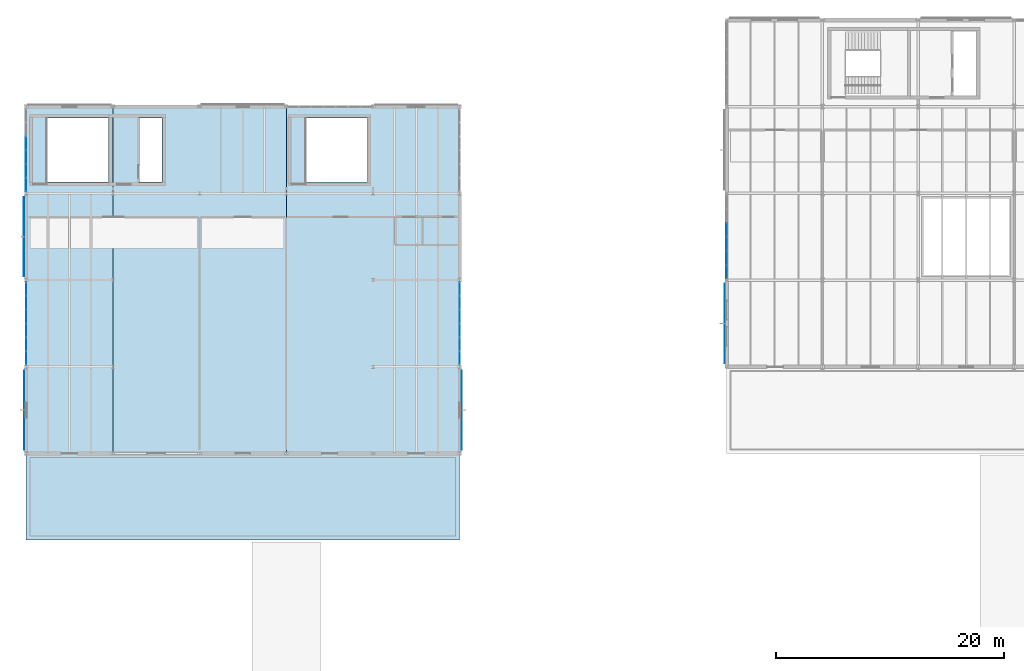
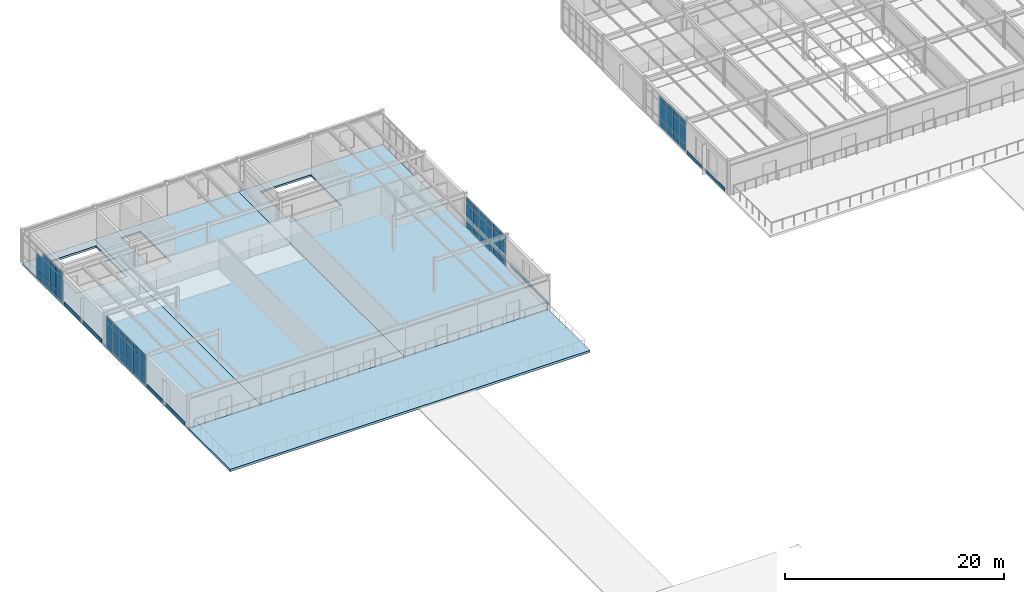
# One storey, part 71 of 114: 63 plates, 4 slabs, 4 elements without a shape of their own.
"""IFC4 building model written with IfcOpenShell, lengths in metres."""

from ifc_helpers import new_model, si_unit, direction, frame, origin, origin_2d, place, context, subcontext, project, spatial, polyline, rectangle, outline, extrude, material, layer, layer_set, type_object, element, aggregate, save


model = new_model("IFC4")

# Units and contexts
model_context = context("Model", 3, precision=1e-05, world=origin(), true_north=direction((0.0, 1.0)))
body_context = subcontext(model_context, "Body", "Model", "MODEL_VIEW")
ifc_project = project(units=[si_unit("LENGTHUNIT", "METRE"), si_unit("AREAUNIT", "SQUARE_METRE"), si_unit("VOLUMEUNIT", "CUBIC_METRE"), si_unit("PLANEANGLEUNIT", "RADIAN"), si_unit("MASSUNIT", "GRAM", prefix="KILO")], contexts=[model_context])

# Site, building, storey
site_placement = place(None, origin())
site = spatial("IfcSite", under=ifc_project, at=site_placement, CompositionType="ELEMENT")
building_placement = place(site_placement, origin())
building = spatial("IfcBuilding", under=site, at=building_placement, Name="Montecoro Central Library", CompositionType="ELEMENT")
storey_placement = place(building_placement, frame((0.0, 0.0, 13.260009765625)))
storey = spatial("IfcBuildingStorey", under=building, at=storey_placement, Name="L03", CompositionType="ELEMENT", Elevation=13.260009765625)

# Curtain wall, plates
ifc_material_1 = material(Name="Bronze-anodised aluminium and low-E glazing", Category="aluminium")
ifc_layer_1 = layer(ifc_material_1, 0.159912109375)
ifc_layer_set_1 = layer_set([ifc_layer_1], Name="Bronze-anodised aluminium and low-E glazing")
curtain_wall_type_1 = type_object("IfcCurtainWallType", Name="CWT-020", PredefinedType="NOTDEFINED", material=ifc_layer_set_1)
curtain_wall_1_placement = place(storey_placement, origin())
curtain_wall_1 = element("IfcCurtainWall", 1, at=curtain_wall_1_placement, inside=storey, type_object=curtain_wall_type_1, Name="V2-L03-CW-W1", PredefinedType="NOTDEFINED")
ifc_material_2 = material(Name="Laminated low-E double glazing", Category="glass")
ifc_layer_2 = layer(ifc_material_2, 0.02587890625)
ifc_layer_set_2 = layer_set([ifc_layer_2], Name="Laminated low-E double glazing")
plate_type_1 = type_object("IfcPlateType", Name="CWP-GLZ-01", PredefinedType="CURTAIN_PANEL", material=ifc_layer_set_2)
plate_1_placement = place(storey_placement, frame((66.39990234375, 100.614501953125, 0.06005859375), z_axis=(0.0, 0.0, 1.0), x_axis=(0.0, -1.0, 0.0)))
plate_1 = element("IfcPlate", 2, at=plate_1_placement, type_object=plate_type_1, Name="CW-020 panel 3.1", PredefinedType="CURTAIN_PANEL", context=body_context, shape_type="SweptSolid", body=[
    extrude(rectangle(XDim=1.1689453125, YDim=0.02587890625, at=origin_2d()), origin(), (0.0, 0.0, 1.0), 0.81005859375),
])
plate_2_placement = place(storey_placement, frame((66.39990234375, 100.614501953125, 0.93017578125), z_axis=(0.0, 0.0, 1.0), x_axis=(0.0, -1.0, 0.0)))
plate_2 = element("IfcPlate", 3, at=plate_2_placement, type_object=plate_type_1, Name="CW-020 panel 3.2", PredefinedType="CURTAIN_PANEL", context=body_context, shape_type="SweptSolid", body=[
    extrude(rectangle(XDim=1.1689453125, YDim=0.02587890625, at=origin_2d()), origin(), (0.0, 0.0, 1.0), 1.820068359375),
])
plate_3_placement = place(storey_placement, frame((66.39990234375, 100.614501953125, 2.81005859375), z_axis=(0.0, 0.0, 1.0), x_axis=(0.0, -1.0, 0.0)))
plate_3 = element("IfcPlate", 4, at=plate_3_placement, type_object=plate_type_1, Name="CW-020 panel 3.3", PredefinedType="CURTAIN_PANEL", context=body_context, shape_type="SweptSolid", body=[
    extrude(rectangle(XDim=1.1689453125, YDim=0.02587890625, at=origin_2d()), origin(), (0.0, 0.0, 1.0), 0.610107421875),
])
plate_4_placement = place(storey_placement, frame((66.39990234375, 99.385498046875, 0.06005859375), z_axis=(0.0, 0.0, 1.0), x_axis=(0.0, -1.0, 0.0)))
plate_4 = element("IfcPlate", 5, at=plate_4_placement, type_object=plate_type_1, Name="CW-020 panel 4.1", PredefinedType="CURTAIN_PANEL", context=body_context, shape_type="SweptSolid", body=[
    extrude(rectangle(XDim=1.1689453125, YDim=0.02587890625, at=origin_2d()), origin(), (0.0, 0.0, 1.0), 0.81005859375),
])
plate_5_placement = place(storey_placement, frame((66.39990234375, 99.385498046875, 0.93017578125), z_axis=(0.0, 0.0, 1.0), x_axis=(0.0, -1.0, 0.0)))
plate_5 = element("IfcPlate", 6, at=plate_5_placement, type_object=plate_type_1, Name="CW-020 panel 4.2", PredefinedType="CURTAIN_PANEL", context=body_context, shape_type="SweptSolid", body=[
    extrude(rectangle(XDim=1.1689453125, YDim=0.02587890625, at=origin_2d()), origin(), (0.0, 0.0, 1.0), 1.820068359375),
])
plate_6_placement = place(storey_placement, frame((66.39990234375, 99.385498046875, 2.81005859375), z_axis=(0.0, 0.0, 1.0), x_axis=(0.0, -1.0, 0.0)))
plate_6 = element("IfcPlate", 7, at=plate_6_placement, type_object=plate_type_1, Name="CW-020 panel 4.3", PredefinedType="CURTAIN_PANEL", context=body_context, shape_type="SweptSolid", body=[
    extrude(rectangle(XDim=1.1689453125, YDim=0.02587890625, at=origin_2d()), origin(), (0.0, 0.0, 1.0), 0.610107421875),
])
plate_7_placement = place(storey_placement, frame((66.39990234375, 98.156494140625, 0.06005859375), z_axis=(0.0, 0.0, 1.0), x_axis=(0.0, -1.0, 0.0)))
plate_7 = element("IfcPlate", 8, at=plate_7_placement, type_object=plate_type_1, Name="CW-020 panel 5.1", PredefinedType="CURTAIN_PANEL", context=body_context, shape_type="SweptSolid", body=[
    extrude(rectangle(XDim=1.1689453125, YDim=0.02587890625, at=origin_2d()), origin(), (0.0, 0.0, 1.0), 0.81005859375),
])
plate_8_placement = place(storey_placement, frame((66.39990234375, 98.156494140625, 0.93017578125), z_axis=(0.0, 0.0, 1.0), x_axis=(0.0, -1.0, 0.0)))
plate_8 = element("IfcPlate", 9, at=plate_8_placement, type_object=plate_type_1, Name="CW-020 panel 5.2", PredefinedType="CURTAIN_PANEL", context=body_context, shape_type="SweptSolid", body=[
    extrude(rectangle(XDim=1.1689453125, YDim=0.02587890625, at=origin_2d()), origin(), (0.0, 0.0, 1.0), 1.820068359375),
])
plate_9_placement = place(storey_placement, frame((66.39990234375, 98.156494140625, 2.81005859375), z_axis=(0.0, 0.0, 1.0), x_axis=(0.0, -1.0, 0.0)))
plate_9 = element("IfcPlate", 10, at=plate_9_placement, type_object=plate_type_1, Name="CW-020 panel 5.3", PredefinedType="CURTAIN_PANEL", context=body_context, shape_type="SweptSolid", body=[
    extrude(rectangle(XDim=1.1689453125, YDim=0.02587890625, at=origin_2d()), origin(), (0.0, 0.0, 1.0), 0.610107421875),
])
plate_10_placement = place(storey_placement, frame((66.39990234375, 96.9423828125, 0.06005859375), z_axis=(0.0, 0.0, 1.0), x_axis=(0.0, -1.0, 0.0)))
plate_10 = element("IfcPlate", 11, at=plate_10_placement, type_object=plate_type_1, Name="CW-020 panel 6.1", PredefinedType="CURTAIN_PANEL", context=body_context, shape_type="SweptSolid", body=[
    extrude(rectangle(XDim=1.138916015625, YDim=0.02587890625, at=origin_2d()), origin(), (0.0, 0.0, 1.0), 0.81005859375),
])
plate_11_placement = place(storey_placement, frame((66.39990234375, 96.9423828125, 0.93017578125), z_axis=(0.0, 0.0, 1.0), x_axis=(0.0, -1.0, 0.0)))
plate_11 = element("IfcPlate", 12, at=plate_11_placement, type_object=plate_type_1, Name="CW-020 panel 6.2", PredefinedType="CURTAIN_PANEL", context=body_context, shape_type="SweptSolid", body=[
    extrude(rectangle(XDim=1.138916015625, YDim=0.02587890625, at=origin_2d()), origin(), (0.0, 0.0, 1.0), 1.820068359375),
])
plate_12_placement = place(storey_placement, frame((66.39990234375, 96.9423828125, 2.81005859375), z_axis=(0.0, 0.0, 1.0), x_axis=(0.0, -1.0, 0.0)))
plate_12 = element("IfcPlate", 13, at=plate_12_placement, type_object=plate_type_1, Name="CW-020 panel 6.3", PredefinedType="CURTAIN_PANEL", context=body_context, shape_type="SweptSolid", body=[
    extrude(rectangle(XDim=1.138916015625, YDim=0.02587890625, at=origin_2d()), origin(), (0.0, 0.0, 1.0), 0.610107421875),
])
aggregate(curtain_wall_1, [plate_1, plate_2, plate_3, plate_4, plate_5, plate_6, plate_7, plate_8, plate_9, plate_10, plate_11, plate_12])

ifc_layer_3 = layer(ifc_material_1, 0.159912109375)
ifc_layer_set_3 = layer_set([ifc_layer_3], Name="Bronze-anodised aluminium and low-E glazing")
curtain_wall_type_2 = type_object("IfcCurtainWallType", Name="CWT-050", PredefinedType="NOTDEFINED", material=ifc_layer_set_3)
curtain_wall_2_placement = place(storey_placement, origin())
curtain_wall_2 = element("IfcCurtainWall", 14, at=curtain_wall_2_placement, inside=storey, type_object=curtain_wall_type_2, Name="V4-L03-CW-E1", PredefinedType="NOTDEFINED")
plate_13_placement = place(storey_placement, frame((43.0, 89.37158203125, 0.06005859375), z_axis=(0.0, 0.0, 1.0), x_axis=(0.0, 1.0, 0.0)))
plate_13 = element("IfcPlate", 15, at=plate_13_placement, type_object=plate_type_1, Name="CW-050 panel 1.1", PredefinedType="CURTAIN_PANEL", context=body_context, shape_type="SweptSolid", body=[
    extrude(rectangle(XDim=1.12744140625, YDim=0.02587890625, at=origin_2d()), origin(), (0.0, 0.0, 1.0), 0.81005859375),
])
plate_14_placement = place(storey_placement, frame((43.0, 89.37158203125, 0.93017578125), z_axis=(0.0, 0.0, 1.0), x_axis=(0.0, 1.0, 0.0)))
plate_14 = element("IfcPlate", 16, at=plate_14_placement, type_object=plate_type_1, Name="CW-050 panel 1.2", PredefinedType="CURTAIN_PANEL", context=body_context, shape_type="SweptSolid", body=[
    extrude(rectangle(XDim=1.12744140625, YDim=0.02587890625, at=origin_2d()), origin(), (0.0, 0.0, 1.0), 1.820068359375),
])
plate_15_placement = place(storey_placement, frame((43.0, 89.37158203125, 2.81005859375), z_axis=(0.0, 0.0, 1.0), x_axis=(0.0, 1.0, 0.0)))
plate_15 = element("IfcPlate", 17, at=plate_15_placement, type_object=plate_type_1, Name="CW-050 panel 1.3", PredefinedType="CURTAIN_PANEL", context=body_context, shape_type="SweptSolid", body=[
    extrude(rectangle(XDim=1.12744140625, YDim=0.02587890625, at=origin_2d()), origin(), (0.0, 0.0, 1.0), 0.610107421875),
])
plate_16_placement = place(storey_placement, frame((43.0, 90.573974609375, 0.06005859375), z_axis=(0.0, 0.0, 1.0), x_axis=(0.0, 1.0, 0.0)))
plate_16 = element("IfcPlate", 18, at=plate_16_placement, type_object=plate_type_1, Name="CW-050 panel 2.1", PredefinedType="CURTAIN_PANEL", context=body_context, shape_type="SweptSolid", body=[
    extrude(rectangle(XDim=1.1572265625, YDim=0.02587890625, at=origin_2d()), origin(), (0.0, 0.0, 1.0), 0.81005859375),
])
plate_17_placement = place(storey_placement, frame((43.0, 90.573974609375, 0.93017578125), z_axis=(0.0, 0.0, 1.0), x_axis=(0.0, 1.0, 0.0)))
plate_17 = element("IfcPlate", 19, at=plate_17_placement, type_object=plate_type_1, Name="CW-050 panel 2.2", PredefinedType="CURTAIN_PANEL", context=body_context, shape_type="SweptSolid", body=[
    extrude(rectangle(XDim=1.1572265625, YDim=0.02587890625, at=origin_2d()), origin(), (0.0, 0.0, 1.0), 1.820068359375),
])
plate_18_placement = place(storey_placement, frame((43.0, 90.573974609375, 2.81005859375), z_axis=(0.0, 0.0, 1.0), x_axis=(0.0, 1.0, 0.0)))
plate_18 = element("IfcPlate", 20, at=plate_18_placement, type_object=plate_type_1, Name="CW-050 panel 2.3", PredefinedType="CURTAIN_PANEL", context=body_context, shape_type="SweptSolid", body=[
    extrude(rectangle(XDim=1.1572265625, YDim=0.02587890625, at=origin_2d()), origin(), (0.0, 0.0, 1.0), 0.610107421875),
])
plate_19_placement = place(storey_placement, frame((43.0, 91.791259765625, 0.06005859375), z_axis=(0.0, 0.0, 1.0), x_axis=(0.0, 1.0, 0.0)))
plate_19 = element("IfcPlate", 21, at=plate_19_placement, type_object=plate_type_1, Name="CW-050 panel 3.1", PredefinedType="CURTAIN_PANEL", context=body_context, shape_type="SweptSolid", body=[
    extrude(rectangle(XDim=1.1572265625, YDim=0.02587890625, at=origin_2d()), origin(), (0.0, 0.0, 1.0), 0.81005859375),
])
plate_20_placement = place(storey_placement, frame((43.0, 91.791259765625, 0.93017578125), z_axis=(0.0, 0.0, 1.0), x_axis=(0.0, 1.0, 0.0)))
plate_20 = element("IfcPlate", 22, at=plate_20_placement, type_object=plate_type_1, Name="CW-050 panel 3.2", PredefinedType="CURTAIN_PANEL", context=body_context, shape_type="SweptSolid", body=[
    extrude(rectangle(XDim=1.1572265625, YDim=0.02587890625, at=origin_2d()), origin(), (0.0, 0.0, 1.0), 1.820068359375),
])
plate_21_placement = place(storey_placement, frame((43.0, 91.791259765625, 2.81005859375), z_axis=(0.0, 0.0, 1.0), x_axis=(0.0, 1.0, 0.0)))
plate_21 = element("IfcPlate", 23, at=plate_21_placement, type_object=plate_type_1, Name="CW-050 panel 3.3", PredefinedType="CURTAIN_PANEL", context=body_context, shape_type="SweptSolid", body=[
    extrude(rectangle(XDim=1.1572265625, YDim=0.02587890625, at=origin_2d()), origin(), (0.0, 0.0, 1.0), 0.610107421875),
])
plate_22_placement = place(storey_placement, frame((43.0, 93.008544921875, 0.06005859375), z_axis=(0.0, 0.0, 1.0), x_axis=(0.0, 1.0, 0.0)))
plate_22 = element("IfcPlate", 24, at=plate_22_placement, type_object=plate_type_1, Name="CW-050 panel 4.1", PredefinedType="CURTAIN_PANEL", context=body_context, shape_type="SweptSolid", body=[
    extrude(rectangle(XDim=1.1572265625, YDim=0.02587890625, at=origin_2d()), origin(), (0.0, 0.0, 1.0), 0.81005859375),
])
plate_23_placement = place(storey_placement, frame((43.0, 93.008544921875, 0.93017578125), z_axis=(0.0, 0.0, 1.0), x_axis=(0.0, 1.0, 0.0)))
plate_23 = element("IfcPlate", 25, at=plate_23_placement, type_object=plate_type_1, Name="CW-050 panel 4.2", PredefinedType="CURTAIN_PANEL", context=body_context, shape_type="SweptSolid", body=[
    extrude(rectangle(XDim=1.1572265625, YDim=0.02587890625, at=origin_2d()), origin(), (0.0, 0.0, 1.0), 1.820068359375),
])
plate_24_placement = place(storey_placement, frame((43.0, 93.008544921875, 2.81005859375), z_axis=(0.0, 0.0, 1.0), x_axis=(0.0, 1.0, 0.0)))
plate_24 = element("IfcPlate", 26, at=plate_24_placement, type_object=plate_type_1, Name="CW-050 panel 4.3", PredefinedType="CURTAIN_PANEL", context=body_context, shape_type="SweptSolid", body=[
    extrude(rectangle(XDim=1.1572265625, YDim=0.02587890625, at=origin_2d()), origin(), (0.0, 0.0, 1.0), 0.610107421875),
])
plate_25_placement = place(storey_placement, frame((43.0, 94.22607421875, 0.06005859375), z_axis=(0.0, 0.0, 1.0), x_axis=(0.0, 1.0, 0.0)))
plate_25 = element("IfcPlate", 27, at=plate_25_placement, type_object=plate_type_1, Name="CW-050 panel 5.1", PredefinedType="CURTAIN_PANEL", context=body_context, shape_type="SweptSolid", body=[
    extrude(rectangle(XDim=1.1572265625, YDim=0.02587890625, at=origin_2d()), origin(), (0.0, 0.0, 1.0), 0.81005859375),
])
plate_26_placement = place(storey_placement, frame((43.0, 94.22607421875, 0.93017578125), z_axis=(0.0, 0.0, 1.0), x_axis=(0.0, 1.0, 0.0)))
plate_26 = element("IfcPlate", 28, at=plate_26_placement, type_object=plate_type_1, Name="CW-050 panel 5.2", PredefinedType="CURTAIN_PANEL", context=body_context, shape_type="SweptSolid", body=[
    extrude(rectangle(XDim=1.1572265625, YDim=0.02587890625, at=origin_2d()), origin(), (0.0, 0.0, 1.0), 1.820068359375),
])
plate_27_placement = place(storey_placement, frame((43.0, 94.22607421875, 2.81005859375), z_axis=(0.0, 0.0, 1.0), x_axis=(0.0, 1.0, 0.0)))
plate_27 = element("IfcPlate", 29, at=plate_27_placement, type_object=plate_type_1, Name="CW-050 panel 5.3", PredefinedType="CURTAIN_PANEL", context=body_context, shape_type="SweptSolid", body=[
    extrude(rectangle(XDim=1.1572265625, YDim=0.02587890625, at=origin_2d()), origin(), (0.0, 0.0, 1.0), 0.610107421875),
])
plate_28_placement = place(storey_placement, frame((43.0, 95.42822265625, 0.06005859375), z_axis=(0.0, 0.0, 1.0), x_axis=(0.0, 1.0, 0.0)))
plate_28 = element("IfcPlate", 30, at=plate_28_placement, type_object=plate_type_1, Name="CW-050 panel 6.1", PredefinedType="CURTAIN_PANEL", context=body_context, shape_type="SweptSolid", body=[
    extrude(rectangle(XDim=1.12744140625, YDim=0.02587890625, at=origin_2d()), origin(), (0.0, 0.0, 1.0), 0.81005859375),
])
plate_29_placement = place(storey_placement, frame((43.0, 95.42822265625, 0.93017578125), z_axis=(0.0, 0.0, 1.0), x_axis=(0.0, 1.0, 0.0)))
plate_29 = element("IfcPlate", 31, at=plate_29_placement, type_object=plate_type_1, Name="CW-050 panel 6.2", PredefinedType="CURTAIN_PANEL", context=body_context, shape_type="SweptSolid", body=[
    extrude(rectangle(XDim=1.12744140625, YDim=0.02587890625, at=origin_2d()), origin(), (0.0, 0.0, 1.0), 1.820068359375),
])
plate_30_placement = place(storey_placement, frame((43.0, 95.42822265625, 2.81005859375), z_axis=(0.0, 0.0, 1.0), x_axis=(0.0, 1.0, 0.0)))
plate_30 = element("IfcPlate", 32, at=plate_30_placement, type_object=plate_type_1, Name="CW-050 panel 6.3", PredefinedType="CURTAIN_PANEL", context=body_context, shape_type="SweptSolid", body=[
    extrude(rectangle(XDim=1.12744140625, YDim=0.02587890625, at=origin_2d()), origin(), (0.0, 0.0, 1.0), 0.610107421875),
])
aggregate(curtain_wall_2, [plate_13, plate_14, plate_15, plate_16, plate_17, plate_18, plate_19, plate_20, plate_21, plate_22, plate_23, plate_24, plate_25, plate_26, plate_27, plate_28, plate_29, plate_30])

ifc_layer_4 = layer(ifc_material_1, 0.159912109375)
ifc_layer_set_4 = layer_set([ifc_layer_4], Name="Bronze-anodised aluminium and low-E glazing")
curtain_wall_type_3 = type_object("IfcCurtainWallType", Name="CWT-052", PredefinedType="NOTDEFINED", material=ifc_layer_set_4)
curtain_wall_3_placement = place(storey_placement, origin())
curtain_wall_3 = element("IfcCurtainWall", 33, at=curtain_wall_3_placement, inside=storey, type_object=curtain_wall_type_3, Name="V4-L03-CW-W1", PredefinedType="NOTDEFINED")
plate_31_placement = place(storey_placement, frame((5.0, 95.42822265625, 0.06005859375), z_axis=(0.0, 0.0, 1.0), x_axis=(0.0, -1.0, 0.0)))
plate_31 = element("IfcPlate", 34, at=plate_31_placement, type_object=plate_type_1, Name="CW-052 panel 1.1", PredefinedType="CURTAIN_PANEL", context=body_context, shape_type="SweptSolid", body=[
    extrude(rectangle(XDim=1.12744140625, YDim=0.02587890625, at=origin_2d()), origin(), (0.0, 0.0, 1.0), 0.81005859375),
])
plate_32_placement = place(storey_placement, frame((5.0, 95.42822265625, 0.93017578125), z_axis=(0.0, 0.0, 1.0), x_axis=(0.0, -1.0, 0.0)))
plate_32 = element("IfcPlate", 35, at=plate_32_placement, type_object=plate_type_1, Name="CW-052 panel 1.2", PredefinedType="CURTAIN_PANEL", context=body_context, shape_type="SweptSolid", body=[
    extrude(rectangle(XDim=1.12744140625, YDim=0.02587890625, at=origin_2d()), origin(), (0.0, 0.0, 1.0), 1.820068359375),
])
plate_33_placement = place(storey_placement, frame((5.0, 95.42822265625, 2.81005859375), z_axis=(0.0, 0.0, 1.0), x_axis=(0.0, -1.0, 0.0)))
plate_33 = element("IfcPlate", 36, at=plate_33_placement, type_object=plate_type_1, Name="CW-052 panel 1.3", PredefinedType="CURTAIN_PANEL", context=body_context, shape_type="SweptSolid", body=[
    extrude(rectangle(XDim=1.12744140625, YDim=0.02587890625, at=origin_2d()), origin(), (0.0, 0.0, 1.0), 0.610107421875),
])
plate_34_placement = place(storey_placement, frame((5.0, 94.22607421875, 0.06005859375), z_axis=(0.0, 0.0, 1.0), x_axis=(0.0, -1.0, 0.0)))
plate_34 = element("IfcPlate", 37, at=plate_34_placement, type_object=plate_type_1, Name="CW-052 panel 2.1", PredefinedType="CURTAIN_PANEL", context=body_context, shape_type="SweptSolid", body=[
    extrude(rectangle(XDim=1.1572265625, YDim=0.02587890625, at=origin_2d()), origin(), (0.0, 0.0, 1.0), 0.81005859375),
])
plate_35_placement = place(storey_placement, frame((5.0, 94.22607421875, 0.93017578125), z_axis=(0.0, 0.0, 1.0), x_axis=(0.0, -1.0, 0.0)))
plate_35 = element("IfcPlate", 38, at=plate_35_placement, type_object=plate_type_1, Name="CW-052 panel 2.2", PredefinedType="CURTAIN_PANEL", context=body_context, shape_type="SweptSolid", body=[
    extrude(rectangle(XDim=1.1572265625, YDim=0.02587890625, at=origin_2d()), origin(), (0.0, 0.0, 1.0), 1.820068359375),
])
plate_36_placement = place(storey_placement, frame((5.0, 94.22607421875, 2.81005859375), z_axis=(0.0, 0.0, 1.0), x_axis=(0.0, -1.0, 0.0)))
plate_36 = element("IfcPlate", 39, at=plate_36_placement, type_object=plate_type_1, Name="CW-052 panel 2.3", PredefinedType="CURTAIN_PANEL", context=body_context, shape_type="SweptSolid", body=[
    extrude(rectangle(XDim=1.1572265625, YDim=0.02587890625, at=origin_2d()), origin(), (0.0, 0.0, 1.0), 0.610107421875),
])
plate_37_placement = place(storey_placement, frame((5.0, 93.008544921875, 0.06005859375), z_axis=(0.0, 0.0, 1.0), x_axis=(0.0, -1.0, 0.0)))
plate_37 = element("IfcPlate", 40, at=plate_37_placement, type_object=plate_type_1, Name="CW-052 panel 3.1", PredefinedType="CURTAIN_PANEL", context=body_context, shape_type="SweptSolid", body=[
    extrude(rectangle(XDim=1.1572265625, YDim=0.02587890625, at=origin_2d()), origin(), (0.0, 0.0, 1.0), 0.81005859375),
])
plate_38_placement = place(storey_placement, frame((5.0, 93.008544921875, 0.93017578125), z_axis=(0.0, 0.0, 1.0), x_axis=(0.0, -1.0, 0.0)))
plate_38 = element("IfcPlate", 41, at=plate_38_placement, type_object=plate_type_1, Name="CW-052 panel 3.2", PredefinedType="CURTAIN_PANEL", context=body_context, shape_type="SweptSolid", body=[
    extrude(rectangle(XDim=1.1572265625, YDim=0.02587890625, at=origin_2d()), origin(), (0.0, 0.0, 1.0), 1.820068359375),
])
plate_39_placement = place(storey_placement, frame((5.0, 93.008544921875, 2.81005859375), z_axis=(0.0, 0.0, 1.0), x_axis=(0.0, -1.0, 0.0)))
plate_39 = element("IfcPlate", 42, at=plate_39_placement, type_object=plate_type_1, Name="CW-052 panel 3.3", PredefinedType="CURTAIN_PANEL", context=body_context, shape_type="SweptSolid", body=[
    extrude(rectangle(XDim=1.1572265625, YDim=0.02587890625, at=origin_2d()), origin(), (0.0, 0.0, 1.0), 0.610107421875),
])
plate_40_placement = place(storey_placement, frame((5.0, 91.791259765625, 0.06005859375), z_axis=(0.0, 0.0, 1.0), x_axis=(0.0, -1.0, 0.0)))
plate_40 = element("IfcPlate", 43, at=plate_40_placement, type_object=plate_type_1, Name="CW-052 panel 4.1", PredefinedType="CURTAIN_PANEL", context=body_context, shape_type="SweptSolid", body=[
    extrude(rectangle(XDim=1.1572265625, YDim=0.02587890625, at=origin_2d()), origin(), (0.0, 0.0, 1.0), 0.81005859375),
])
plate_41_placement = place(storey_placement, frame((5.0, 91.791259765625, 0.93017578125), z_axis=(0.0, 0.0, 1.0), x_axis=(0.0, -1.0, 0.0)))
plate_41 = element("IfcPlate", 44, at=plate_41_placement, type_object=plate_type_1, Name="CW-052 panel 4.2", PredefinedType="CURTAIN_PANEL", context=body_context, shape_type="SweptSolid", body=[
    extrude(rectangle(XDim=1.1572265625, YDim=0.02587890625, at=origin_2d()), origin(), (0.0, 0.0, 1.0), 1.820068359375),
])
plate_42_placement = place(storey_placement, frame((5.0, 91.791259765625, 2.81005859375), z_axis=(0.0, 0.0, 1.0), x_axis=(0.0, -1.0, 0.0)))
plate_42 = element("IfcPlate", 45, at=plate_42_placement, type_object=plate_type_1, Name="CW-052 panel 4.3", PredefinedType="CURTAIN_PANEL", context=body_context, shape_type="SweptSolid", body=[
    extrude(rectangle(XDim=1.1572265625, YDim=0.02587890625, at=origin_2d()), origin(), (0.0, 0.0, 1.0), 0.610107421875),
])
plate_43_placement = place(storey_placement, frame((5.0, 90.573974609375, 0.06005859375), z_axis=(0.0, 0.0, 1.0), x_axis=(0.0, -1.0, 0.0)))
plate_43 = element("IfcPlate", 46, at=plate_43_placement, type_object=plate_type_1, Name="CW-052 panel 5.1", PredefinedType="CURTAIN_PANEL", context=body_context, shape_type="SweptSolid", body=[
    extrude(rectangle(XDim=1.1572265625, YDim=0.02587890625, at=origin_2d()), origin(), (0.0, 0.0, 1.0), 0.81005859375),
])
plate_44_placement = place(storey_placement, frame((5.0, 90.573974609375, 0.93017578125), z_axis=(0.0, 0.0, 1.0), x_axis=(0.0, -1.0, 0.0)))
plate_44 = element("IfcPlate", 47, at=plate_44_placement, type_object=plate_type_1, Name="CW-052 panel 5.2", PredefinedType="CURTAIN_PANEL", context=body_context, shape_type="SweptSolid", body=[
    extrude(rectangle(XDim=1.1572265625, YDim=0.02587890625, at=origin_2d()), origin(), (0.0, 0.0, 1.0), 1.820068359375),
])
plate_45_placement = place(storey_placement, frame((5.0, 90.573974609375, 2.81005859375), z_axis=(0.0, 0.0, 1.0), x_axis=(0.0, -1.0, 0.0)))
plate_45 = element("IfcPlate", 48, at=plate_45_placement, type_object=plate_type_1, Name="CW-052 panel 5.3", PredefinedType="CURTAIN_PANEL", context=body_context, shape_type="SweptSolid", body=[
    extrude(rectangle(XDim=1.1572265625, YDim=0.02587890625, at=origin_2d()), origin(), (0.0, 0.0, 1.0), 0.610107421875),
])
plate_46_placement = place(storey_placement, frame((5.0, 89.37158203125, 0.06005859375), z_axis=(0.0, 0.0, 1.0), x_axis=(0.0, -1.0, 0.0)))
plate_46 = element("IfcPlate", 49, at=plate_46_placement, type_object=plate_type_1, Name="CW-052 panel 6.1", PredefinedType="CURTAIN_PANEL", context=body_context, shape_type="SweptSolid", body=[
    extrude(rectangle(XDim=1.12744140625, YDim=0.02587890625, at=origin_2d()), origin(), (0.0, 0.0, 1.0), 0.81005859375),
])
plate_47_placement = place(storey_placement, frame((5.0, 89.37158203125, 0.93017578125), z_axis=(0.0, 0.0, 1.0), x_axis=(0.0, -1.0, 0.0)))
plate_47 = element("IfcPlate", 50, at=plate_47_placement, type_object=plate_type_1, Name="CW-052 panel 6.2", PredefinedType="CURTAIN_PANEL", context=body_context, shape_type="SweptSolid", body=[
    extrude(rectangle(XDim=1.12744140625, YDim=0.02587890625, at=origin_2d()), origin(), (0.0, 0.0, 1.0), 1.820068359375),
])
plate_48_placement = place(storey_placement, frame((5.0, 89.37158203125, 2.81005859375), z_axis=(0.0, 0.0, 1.0), x_axis=(0.0, -1.0, 0.0)))
plate_48 = element("IfcPlate", 51, at=plate_48_placement, type_object=plate_type_1, Name="CW-052 panel 6.3", PredefinedType="CURTAIN_PANEL", context=body_context, shape_type="SweptSolid", body=[
    extrude(rectangle(XDim=1.12744140625, YDim=0.02587890625, at=origin_2d()), origin(), (0.0, 0.0, 1.0), 0.610107421875),
])
aggregate(curtain_wall_3, [plate_31, plate_32, plate_33, plate_34, plate_35, plate_36, plate_37, plate_38, plate_39, plate_40, plate_41, plate_42, plate_43, plate_44, plate_45, plate_46, plate_47, plate_48])

curtain_wall_4_placement = place(storey_placement, origin())
curtain_wall_4 = element("IfcCurtainWall", 52, at=curtain_wall_4_placement, inside=storey, type_object=curtain_wall_type_3, Name="V4-L03-CW-W3", PredefinedType="NOTDEFINED")
ifc_layer_5 = layer(ifc_material_2, 0.033935546875)
ifc_layer_set_5 = layer_set([ifc_layer_5], Name="Laminated low-E double glazing")
plate_type_2 = type_object("IfcPlateType", Name="CWP-GLZ-03", PredefinedType="CURTAIN_PANEL", material=ifc_layer_set_5)
plate_49_placement = place(storey_placement, frame((5.0, 108.208740234375, 0.06005859375), z_axis=(0.0, 0.0, 1.0), x_axis=(0.0, -1.0, 0.0)))
plate_49 = element("IfcPlate", 53, at=plate_49_placement, type_object=plate_type_2, Name="CW-052 panel 3.1", PredefinedType="CURTAIN_PANEL", context=body_context, shape_type="SweptSolid", body=[
    extrude(rectangle(XDim=1.1572265625, YDim=0.033935546875, at=origin_2d()), origin(), (0.0, 0.0, 1.0), 0.81005859375),
])
plate_50_placement = place(storey_placement, frame((5.0, 108.208740234375, 0.93017578125), z_axis=(0.0, 0.0, 1.0), x_axis=(0.0, -1.0, 0.0)))
plate_50 = element("IfcPlate", 54, at=plate_50_placement, type_object=plate_type_2, Name="CW-052 panel 3.2", PredefinedType="CURTAIN_PANEL", context=body_context, shape_type="SweptSolid", body=[
    extrude(rectangle(XDim=1.1572265625, YDim=0.033935546875, at=origin_2d()), origin(), (0.0, 0.0, 1.0), 1.820068359375),
])
plate_51_placement = place(storey_placement, frame((5.0, 106.991455078125, 0.06005859375), z_axis=(0.0, 0.0, 1.0), x_axis=(0.0, -1.0, 0.0)))
plate_51 = element("IfcPlate", 55, at=plate_51_placement, type_object=plate_type_2, Name="CW-052 panel 4.1", PredefinedType="CURTAIN_PANEL", context=body_context, shape_type="SweptSolid", body=[
    extrude(rectangle(XDim=1.1572265625, YDim=0.033935546875, at=origin_2d()), origin(), (0.0, 0.0, 1.0), 0.81005859375),
])
plate_52_placement = place(storey_placement, frame((5.0, 106.991455078125, 0.93017578125), z_axis=(0.0, 0.0, 1.0), x_axis=(0.0, -1.0, 0.0)))
plate_52 = element("IfcPlate", 56, at=plate_52_placement, type_object=plate_type_2, Name="CW-052 panel 4.2", PredefinedType="CURTAIN_PANEL", context=body_context, shape_type="SweptSolid", body=[
    extrude(rectangle(XDim=1.1572265625, YDim=0.033935546875, at=origin_2d()), origin(), (0.0, 0.0, 1.0), 1.820068359375),
])
plate_53_placement = place(storey_placement, frame((5.0, 106.991455078125, 2.81005859375), z_axis=(0.0, 0.0, 1.0), x_axis=(0.0, -1.0, 0.0)))
plate_53 = element("IfcPlate", 57, at=plate_53_placement, type_object=plate_type_2, Name="CW-052 panel 4.3", PredefinedType="CURTAIN_PANEL", context=body_context, shape_type="SweptSolid", body=[
    extrude(rectangle(XDim=1.1572265625, YDim=0.033935546875, at=origin_2d()), origin(), (0.0, 0.0, 1.0), 0.610107421875),
])
plate_54_placement = place(storey_placement, frame((5.0, 105.77392578125, 0.06005859375), z_axis=(0.0, 0.0, 1.0), x_axis=(0.0, -1.0, 0.0)))
plate_54 = element("IfcPlate", 58, at=plate_54_placement, type_object=plate_type_2, Name="CW-052 panel 5.1", PredefinedType="CURTAIN_PANEL", context=body_context, shape_type="SweptSolid", body=[
    extrude(rectangle(XDim=1.1572265625, YDim=0.033935546875, at=origin_2d()), origin(), (0.0, 0.0, 1.0), 0.81005859375),
])
plate_55_placement = place(storey_placement, frame((5.0, 105.77392578125, 0.93017578125), z_axis=(0.0, 0.0, 1.0), x_axis=(0.0, -1.0, 0.0)))
plate_55 = element("IfcPlate", 59, at=plate_55_placement, type_object=plate_type_2, Name="CW-052 panel 5.2", PredefinedType="CURTAIN_PANEL", context=body_context, shape_type="SweptSolid", body=[
    extrude(rectangle(XDim=1.1572265625, YDim=0.033935546875, at=origin_2d()), origin(), (0.0, 0.0, 1.0), 1.820068359375),
])
plate_56_placement = place(storey_placement, frame((5.0, 105.77392578125, 2.81005859375), z_axis=(0.0, 0.0, 1.0), x_axis=(0.0, -1.0, 0.0)))
plate_56 = element("IfcPlate", 60, at=plate_56_placement, type_object=plate_type_2, Name="CW-052 panel 5.3", PredefinedType="CURTAIN_PANEL", context=body_context, shape_type="SweptSolid", body=[
    extrude(rectangle(XDim=1.1572265625, YDim=0.033935546875, at=origin_2d()), origin(), (0.0, 0.0, 1.0), 0.610107421875),
])
plate_57_placement = place(storey_placement, frame((5.0, 104.57177734375, 0.06005859375), z_axis=(0.0, 0.0, 1.0), x_axis=(0.0, -1.0, 0.0)))
plate_57 = element("IfcPlate", 61, at=plate_57_placement, type_object=plate_type_2, Name="CW-052 panel 6.1", PredefinedType="CURTAIN_PANEL", context=body_context, shape_type="SweptSolid", body=[
    extrude(rectangle(XDim=1.12744140625, YDim=0.033935546875, at=origin_2d()), origin(), (0.0, 0.0, 1.0), 0.81005859375),
])
plate_58_placement = place(storey_placement, frame((5.0, 104.57177734375, 0.93017578125), z_axis=(0.0, 0.0, 1.0), x_axis=(0.0, -1.0, 0.0)))
plate_58 = element("IfcPlate", 62, at=plate_58_placement, type_object=plate_type_2, Name="CW-052 panel 6.2", PredefinedType="CURTAIN_PANEL", context=body_context, shape_type="SweptSolid", body=[
    extrude(rectangle(XDim=1.12744140625, YDim=0.033935546875, at=origin_2d()), origin(), (0.0, 0.0, 1.0), 1.820068359375),
])
plate_59_placement = place(storey_placement, frame((5.0, 104.57177734375, 2.81005859375), z_axis=(0.0, 0.0, 1.0), x_axis=(0.0, -1.0, 0.0)))
plate_59 = element("IfcPlate", 63, at=plate_59_placement, type_object=plate_type_2, Name="CW-052 panel 6.3", PredefinedType="CURTAIN_PANEL", context=body_context, shape_type="SweptSolid", body=[
    extrude(rectangle(XDim=1.12744140625, YDim=0.033935546875, at=origin_2d()), origin(), (0.0, 0.0, 1.0), 0.610107421875),
])
aggregate(curtain_wall_4, [plate_49, plate_50, plate_51, plate_52, plate_53, plate_54, plate_55, plate_56, plate_57, plate_58, plate_59])

# Plates
ifc_material_3 = material(Name="Architectural bronze spandrel plate", Category="aluminium")
ifc_layer_6 = layer(ifc_material_3, 0.02197265625)
ifc_layer_set_6 = layer_set([ifc_layer_6], Name="Architectural bronze spandrel plate")
plate_type_3 = type_object("IfcPlateType", Name="PLT-SPN-01", PredefinedType="SHEET", material=ifc_layer_set_6)
plate_60_placement = place(storey_placement, frame((66.2265625, 92.39990234375, 0.16015625), z_axis=(0.0, 0.0, 1.0), x_axis=(0.0, -1.0, 0.0)))
element("IfcPlate", 64, at=plate_60_placement, inside=storey, type_object=plate_type_3, Name="V2-L03-SPN-W0", PredefinedType="SHEET", context=body_context, shape_type="SweptSolid", body=[
    extrude(rectangle(XDim=6.97412109375, YDim=0.02197265625, at=origin_2d()), origin(), (0.0, 0.0, 1.0), 0.39990234375),
])
for number, where, z_axis, x_axis, name in (
    (65, (43.173583984375, 84.800048828125, 0.16015625), (0.0, 0.0, 1.0), (0.0, 1.0, 0.0), "V4-L03-SPN-E0"),
    (66, (4.826416015625, 84.800048828125, 0.16015625), (0.0, 0.0, 1.0), (0.0, -1.0, 0.0), "V4-L03-SPN-W0"),
):
    element("IfcPlate", number, at=place(storey_placement, frame(where, z_axis=z_axis, x_axis=x_axis)), inside=storey, type_object=plate_type_3, Name=name, PredefinedType="SHEET", context=body_context, shape_type="SweptSolid", body=[
        extrude(rectangle(XDim=6.904052734375, YDim=0.02197265625, at=origin_2d()), origin(), (0.0, 0.0, 1.0), 0.39990234375),
    ])
ifc_layer_7 = layer(ifc_material_3, 0.035888671875)
ifc_layer_set_7 = layer_set([ifc_layer_7], Name="Architectural bronze spandrel plate")
plate_type_4 = type_object("IfcPlateType", Name="PLT-SPN-03", PredefinedType="SHEET", material=ifc_layer_set_7)
plate_61_placement = place(storey_placement, frame((4.819580078125, 100.0, 0.16015625), z_axis=(0.0, 0.0, 1.0), x_axis=(0.0, -1.0, 0.0)))
element("IfcPlate", 67, at=plate_61_placement, inside=storey, type_object=plate_type_4, Name="V4-L03-SPN-W2", PredefinedType="SHEET", context=body_context, shape_type="SweptSolid", body=[
    extrude(rectangle(XDim=6.904052734375, YDim=0.035888671875, at=origin_2d()), origin(), (0.0, 0.0, 1.0), 0.39990234375),
])

# Slabs
ifc_material_4 = material(Name="Concrete C32/40", Category="concrete")
ifc_layer_8 = layer(ifc_material_4, 0.215087890625)
ifc_layer_set_8 = layer_set([ifc_layer_8], Name="Concrete C32/40")
slab_type_1 = type_object("IfcSlabType", Name="SL-FLR-215", PredefinedType="FLOOR", material=ifc_layer_set_8)
slab_1_placement = place(storey_placement, frame((0.0, 0.0, -0.215087890625)))
element("IfcSlab", 68, at=slab_1_placement, inside=storey, type_object=slab_type_1, Name="V4-L03-SL1", PredefinedType="FLOOR", context=body_context, shape_type="SweptSolid", body=[
    extrude(outline(polyline([(5.0, 81.0), (12.60009765625, 81.0), (12.60009765625, 111.39990234375), (5.0, 111.39990234375), (5.0, 81.0)]), holes=[polyline([(6.8798828125, 110.39990234375), (12.219970703125, 110.39990234375), (12.219970703125, 104.800048828125), (6.8798828125, 104.800048828125), (6.8798828125, 110.39990234375)])]), origin(), (0.0, 0.0, 1.0), 0.215087890625),
])
slab_2_placement = place(storey_placement, frame((0.0, 0.0, -0.215087890625)))
element("IfcSlab", 69, at=slab_2_placement, inside=storey, type_object=slab_type_1, Name="V4-L03-SL2", PredefinedType="FLOOR", context=body_context, shape_type="SweptSolid", body=[
    extrude(outline(polyline([(12.60009765625, 81.0), (27.800048828125, 81.0), (27.800048828125, 111.39990234375), (12.60009765625, 111.39990234375), (12.60009765625, 81.0)]), holes=[polyline([(14.85009765625, 110.39990234375), (16.89990234375, 110.39990234375), (16.89990234375, 104.800048828125), (14.85009765625, 104.800048828125), (14.85009765625, 110.39990234375)])]), origin(), (0.0, 0.0, 1.0), 0.215087890625),
])
slab_3_placement = place(storey_placement, frame((0.0, 0.0, -0.215087890625)))
element("IfcSlab", 70, at=slab_3_placement, inside=storey, type_object=slab_type_1, Name="V4-L03-SL3", PredefinedType="FLOOR", context=body_context, shape_type="SweptSolid", body=[
    extrude(outline(polyline([(27.800048828125, 81.0), (43.0, 81.0), (43.0, 111.39990234375), (27.800048828125, 111.39990234375), (27.800048828125, 81.0)]), holes=[polyline([(29.56005859375, 110.39990234375), (34.89990234375, 110.39990234375), (34.89990234375, 104.800048828125), (29.56005859375, 104.800048828125), (29.56005859375, 110.39990234375)])]), origin(), (0.0, 0.0, 1.0), 0.215087890625),
])
ifc_material_5 = material(Name="Planted garden concrete C32/40", Category="concrete")
ifc_layer_9 = layer(ifc_material_5, 0.2548828125)
ifc_layer_set_9 = layer_set([ifc_layer_9], Name="Planted garden concrete C32/40")
slab_type_2 = type_object("IfcSlabType", Name="SL-TER-255", PredefinedType="FLOOR", material=ifc_layer_set_9)
slab_4_placement = place(storey_placement, frame((0.0, 0.0, -0.255126953125)))
element("IfcSlab", 71, at=slab_4_placement, inside=storey, type_object=slab_type_2, Name="Auditorium Garden Terrace", PredefinedType="FLOOR", context=body_context, shape_type="SweptSolid", body=[
    extrude(outline(polyline([(5.0, 73.39990234375), (43.0, 73.39990234375), (43.0, 81.0), (5.0, 81.0), (5.0, 73.39990234375)])), origin(), (0.0, 0.0, 1.0), 0.255126953125),
])

save(model, "model.ifc")
